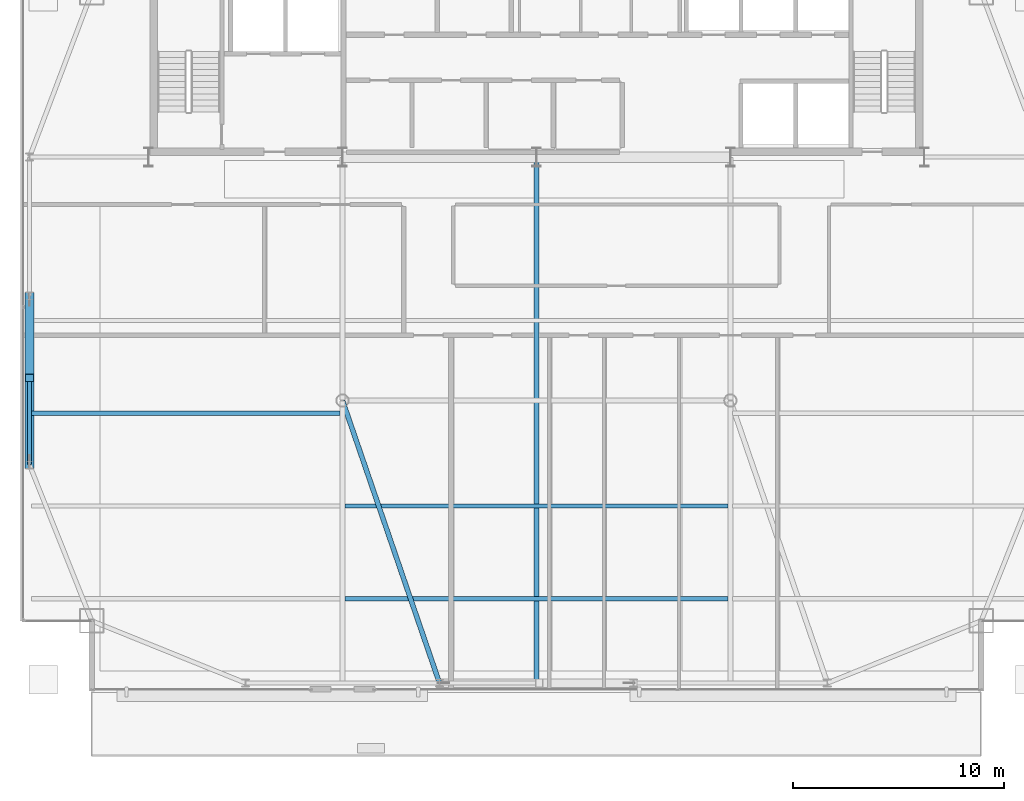
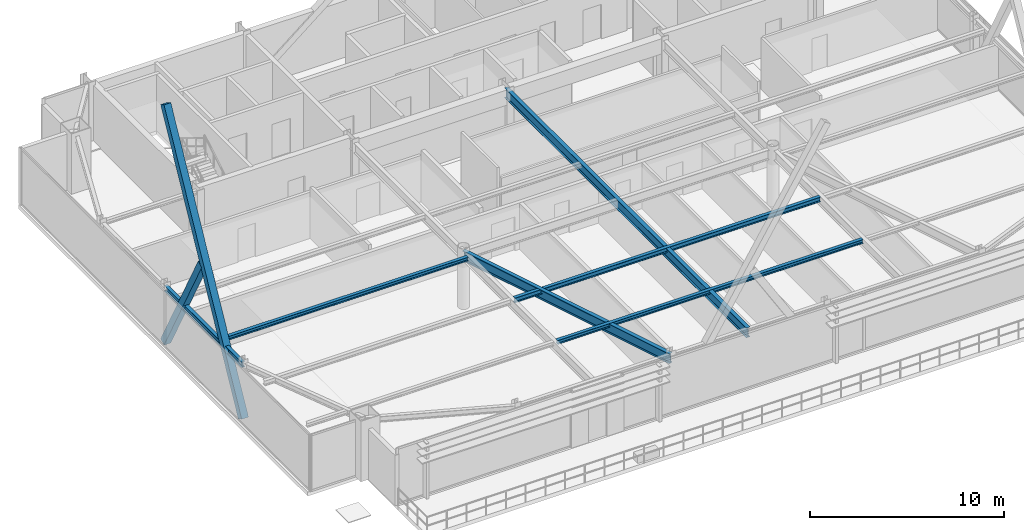
# One storey, part 11 of 33: 6 beams, 2 members.
"""IFC4 building model written with IfcOpenShell, lengths in metres."""

from ifc_helpers import new_model, si_unit, direction, frame, origin, origin_2d, place, context, subcontext, project, spatial, hollow_rectangle, i_section, extrude, source, transform, mapped, material, material_profile, profile_set, type_object, type_shapes, element, save


model = new_model("IFC4")

# Units and contexts
model_context = context("Model", 3, precision=1e-05, world=origin(), true_north=direction((0.0, 1.0)))
body_context = subcontext(model_context, "Body", "Model", "MODEL_VIEW")
ifc_project = project(units=[si_unit("LENGTHUNIT", "METRE"), si_unit("AREAUNIT", "SQUARE_METRE"), si_unit("VOLUMEUNIT", "CUBIC_METRE"), si_unit("PLANEANGLEUNIT", "RADIAN"), si_unit("MASSUNIT", "GRAM", prefix="KILO")], contexts=[model_context])

# Site, building, storey
site_placement = place(None, origin())
site = spatial("IfcSite", under=ifc_project, at=site_placement, CompositionType="ELEMENT")
building_placement = place(site_placement, origin())
building = spatial("IfcBuilding", under=site, at=building_placement, Name="Varnel Quay Broadcast Tower", CompositionType="ELEMENT")
storey_placement = place(building_placement, frame((0.0, 0.0, 199.800048828125)))
storey = spatial("IfcBuildingStorey", under=building, at=storey_placement, Name="L49", CompositionType="ELEMENT", Elevation=199.800048828125)

# Beams
ifc_material = material(Name="Structural Steel CSA G40.21 350W", Category="steel")
ifc_material_profile_1 = material_profile(ifc_material, i_section(OverallWidth=0.205078125, OverallDepth=0.35400390625, WebThickness=0.009521484375, FlangeThickness=0.016845703125, FilletRadius=0.012939453125, at=origin_2d()), Name="W360X79")
ifc_profile_set_1 = profile_set([ifc_material_profile_1], Name="Structural Steel CSA G40.21 350W")
beam_type_1 = type_object("IfcBeamType", Name="Beam_W360X79", PredefinedType="SPANDREL", material=ifc_profile_set_1)
shared_shape_1 = source(origin(), body_context, "Body", "SweptSolid", [
    extrude(i_section(OverallWidth=0.205078125, OverallDepth=0.35400390625, WebThickness=0.009521484375, FlangeThickness=0.016845703125, FilletRadius=0.012939453125, at=origin_2d()), origin(), (0.0, 0.0, 1.0), 7.9599609375),
])
type_shapes(beam_type_1, [shared_shape_1])
beam_1_placement = place(storey_placement, frame((9.949951171875, 21.02001953125, 3.373046875), z_axis=(0.0, 1.0, 0.0), x_axis=(-1.0, 0.0, 0.0)))
element("IfcBeam", 1, at=beam_1_placement, inside=storey, type_object=beam_type_1, Name="L49 West Spandrel TC-W1-TC-W2", PredefinedType="SPANDREL", context=body_context, shape_type="MappedRepresentation", body=[
    mapped(shared_shape_1, transform((0.0, 0.0, 0.0), x_axis=(1.0, 0.0, 0.0), y_axis=(0.0, 1.0, 0.0), z_axis=(0.0, 0.0, 1.0), scale=1.0)),
])
ifc_material_profile_2 = material_profile(ifc_material, i_section(OverallWidth=0.22998046875, OverallDepth=0.616943359375, WebThickness=0.01318359375, FlangeThickness=0.022216796875, FilletRadius=0.01611328125, at=origin_2d()), Name="W610X140")
ifc_profile_set_2 = profile_set([ifc_material_profile_2], Name="Structural Steel CSA G40.21 350W")
beam_type_2 = type_object("IfcBeamType", Name="Girder_W610X140", PredefinedType="BEAM", material=ifc_profile_set_2)
shared_shape_2 = source(origin(), body_context, "Body", "SweptSolid", [
    extrude(i_section(OverallWidth=0.22998046875, OverallDepth=0.616943359375, WebThickness=0.01318359375, FlangeThickness=0.022216796875, FilletRadius=0.01611328125, at=origin_2d()), origin(), (0.0, 0.0, 1.0), 14.12744140625),
])
beam_2_placement = place(storey_placement, frame((29.3935546875, 10.6689453125, 3.241455078125), z_axis=(-0.324696747868, 0.945818175932, 0.0), x_axis=(-0.945818175932, -0.324696747868, 0.0)))
element("IfcBeam", 2, at=beam_2_placement, inside=storey, type_object=beam_type_2, Name="L49 Primary Girder TC-S2-IC-01", PredefinedType="BEAM", context=body_context, shape_type="MappedRepresentation", body=[
    mapped(shared_shape_2, transform((0.0, 0.0, 0.0), x_axis=(1.0, 0.0, 0.0), y_axis=(0.0, 1.0, 0.0), z_axis=(0.0, 0.0, 1.0), scale=1.0)),
])
shared_shape_3 = source(origin(), body_context, "Body", "SweptSolid", [
    extrude(i_section(OverallWidth=0.22998046875, OverallDepth=0.616943359375, WebThickness=0.01318359375, FlangeThickness=0.022216796875, FilletRadius=0.01611328125, at=origin_2d()), origin(), (0.0, 0.0, 1.0), 24.91015625),
])
type_shapes(beam_type_2, [shared_shape_2, shared_shape_3])
beam_3_placement = place(storey_placement, frame((34.0, 10.669921875, 3.241455078125), z_axis=(0.0, 1.0, 0.0), x_axis=(-1.0, 0.0, 0.0)))
element("IfcBeam", 3, at=beam_3_placement, inside=storey, type_object=beam_type_2, Name="L49 Central Bay Girder", PredefinedType="BEAM", context=body_context, shape_type="MappedRepresentation", body=[
    mapped(shared_shape_3, transform((0.0, 0.0, 0.0), x_axis=(1.0, 0.0, 0.0), y_axis=(0.0, 1.0, 0.0), z_axis=(0.0, 0.0, 1.0), scale=1.0)),
])
ifc_material_profile_3 = material_profile(ifc_material, i_section(OverallWidth=0.201904296875, OverallDepth=0.2470703125, WebThickness=0.00732421875, FlangeThickness=0.010986328125, FilletRadius=0.010986328125, at=origin_2d()), Name="W250X49")
ifc_profile_set_3 = profile_set([ifc_material_profile_3], Name="Structural Steel CSA G40.21 350W")
beam_type_3 = type_object("IfcBeamType", Name="Beam_W250X49", PredefinedType="JOIST", material=ifc_profile_set_3)
shared_shape_4 = source(origin(), body_context, "Body", "SweptSolid", [
    extrude(i_section(OverallWidth=0.201904296875, OverallDepth=0.2470703125, WebThickness=0.00732421875, FlangeThickness=0.010986328125, FilletRadius=0.010986328125, at=origin_2d()), origin(), (0.0, 0.0, 1.0), 14.642333984375),
])
beam_4_placement = place(storey_placement, frame((10.047607421875, 23.449951171875, 3.426513671875), z_axis=(1.0, 0.0, 0.0), x_axis=(0.0, 1.0, 0.0)))
element("IfcBeam", 4, at=beam_4_placement, inside=storey, type_object=beam_type_3, Name="L49 West Floor Joist 3", PredefinedType="JOIST", context=body_context, shape_type="MappedRepresentation", body=[
    mapped(shared_shape_4, transform((0.0, 0.0, 0.0), x_axis=(1.0, 0.0, 0.0), y_axis=(0.0, 1.0, 0.0), z_axis=(0.0, 0.0, 1.0), scale=1.0)),
])
shared_shape_5 = source(origin(), body_context, "Body", "SweptSolid", [
    extrude(i_section(OverallWidth=0.201904296875, OverallDepth=0.2470703125, WebThickness=0.00732421875, FlangeThickness=0.010986328125, FilletRadius=0.010986328125, at=origin_2d()), origin(), (0.0, 0.0, 1.0), 18.18017578125),
])
type_shapes(beam_type_3, [shared_shape_4, shared_shape_5])
beam_5_placement = place(storey_placement, frame((24.909912109375, 14.64990234375, 3.426513671875), z_axis=(1.0, 0.0, 0.0), x_axis=(0.0, 1.0, 0.0)))
element("IfcBeam", 5, at=beam_5_placement, inside=storey, type_object=beam_type_3, Name="L49 Central Floor Joist 1", PredefinedType="JOIST", context=body_context, shape_type="MappedRepresentation", body=[
    mapped(shared_shape_5, transform((0.0, 0.0, 0.0), x_axis=(1.0, 0.0, 0.0), y_axis=(0.0, 1.0, 0.0), z_axis=(0.0, 0.0, 1.0), scale=1.0)),
])
ifc_material_profile_4 = material_profile(ifc_material, i_section(OverallWidth=0.202880859375, OverallDepth=0.302978515625, WebThickness=0.007568359375, FlangeThickness=0.01318359375, FilletRadius=0.011962890625, at=origin_2d()), Name="W310X60")
ifc_profile_set_4 = profile_set([ifc_material_profile_4], Name="Structural Steel CSA G40.21 350W")
beam_type_4 = type_object("IfcBeamType", Name="Beam_W310X60", PredefinedType="JOIST", material=ifc_profile_set_4)
shared_shape_6 = source(origin(), body_context, "Body", "SweptSolid", [
    extrude(i_section(OverallWidth=0.202880859375, OverallDepth=0.302978515625, WebThickness=0.007568359375, FlangeThickness=0.01318359375, FilletRadius=0.011962890625, at=origin_2d()), origin(), (0.0, 0.0, 1.0), 18.18017578125),
])
type_shapes(beam_type_4, [shared_shape_6])
beam_6_placement = place(storey_placement, frame((24.909912109375, 19.050048828125, 3.3984375), z_axis=(1.0, 0.0, 0.0), x_axis=(0.0, 1.0, 0.0)))
element("IfcBeam", 6, at=beam_6_placement, inside=storey, type_object=beam_type_4, Name="L49 Central Floor Joist 2", PredefinedType="JOIST", context=body_context, shape_type="MappedRepresentation", body=[
    mapped(shared_shape_6, transform((0.0, 0.0, 0.0), x_axis=(1.0, 0.0, 0.0), y_axis=(0.0, 1.0, 0.0), z_axis=(0.0, 0.0, 1.0), scale=1.0)),
])

# Members
ifc_material_profile_5 = material_profile(ifc_material, hollow_rectangle(XDim=0.406005859375, YDim=0.406005859375, WallThickness=0.01611328125, at=origin_2d()), Name="HSS406X406X16")
ifc_profile_set_5 = profile_set([ifc_material_profile_5], Name="Structural Steel CSA G40.21 350W")
member_type = type_object("IfcMemberType", Name="Brace_HSS406X406X16", PredefinedType="BRACE", material=ifc_profile_set_5)
shared_shape_7 = source(origin(), body_context, "Body", "SweptSolid", [
    extrude(hollow_rectangle(XDim=0.406005859375, YDim=0.406005859375, WallThickness=0.01611328125, at=origin_2d()), origin(), (0.0, 0.0, 1.0), 16.920654296875),
])
member_1_placement = place(storey_placement, frame((9.949951171875, 21.0, 0.02001953125), z_axis=(0.0, 0.472797484609, 0.881171117631), x_axis=(-1.0, 0.0, 0.0)))
element("IfcMember", 7, at=member_1_placement, inside=storey, type_object=member_type, Name="Zone 4 Mega-Brace W-FT1 Continuous Diag A", PredefinedType="BRACE", context=body_context, shape_type="MappedRepresentation", body=[
    mapped(shared_shape_7, transform((0.0, 0.0, 0.0), x_axis=(1.0, 0.0, 0.0), y_axis=(0.0, 1.0, 0.0), z_axis=(0.0, 0.0, 1.0), scale=1.0)),
])
shared_shape_8 = source(origin(), body_context, "Body", "SweptSolid", [
    extrude(hollow_rectangle(XDim=0.406005859375, YDim=0.406005859375, WallThickness=0.01611328125, at=origin_2d()), origin(), (0.0, 0.0, 1.0), 8.191650390625),
])
type_shapes(member_type, [shared_shape_7, shared_shape_8])
member_2_placement = place(storey_placement, frame((9.949951171875, 29.0, 0.02001953125), z_axis=(0.0, -0.47280190134, 0.881168747794), x_axis=(1.0, 0.0, 0.0)))
element("IfcMember", 8, at=member_2_placement, inside=storey, type_object=member_type, Name="Zone 4 Mega-Brace W-FT1 Split Diag B1", PredefinedType="BRACE", context=body_context, shape_type="MappedRepresentation", body=[
    mapped(shared_shape_8, transform((0.0, 0.0, 0.0), x_axis=(1.0, 0.0, 0.0), y_axis=(0.0, 1.0, 0.0), z_axis=(0.0, 0.0, 1.0), scale=1.0)),
])

save(model, "model.ifc")
